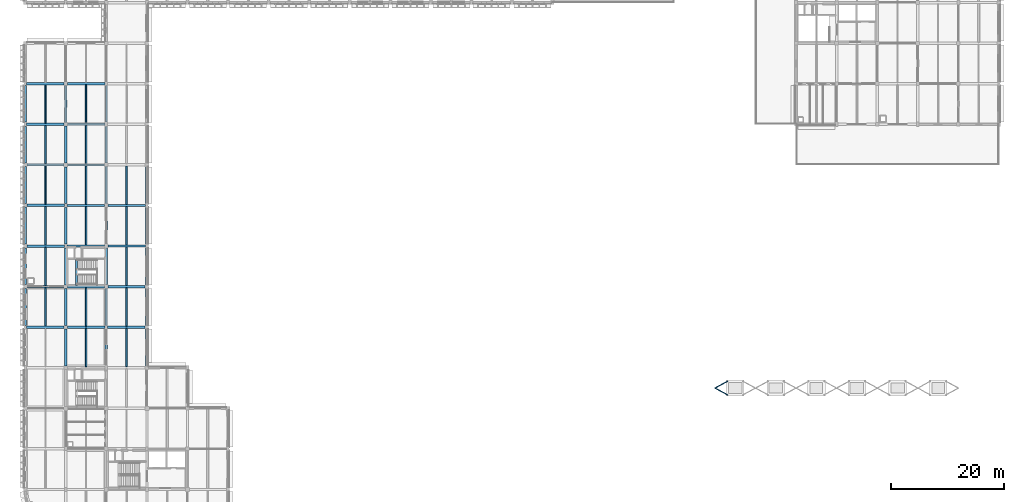
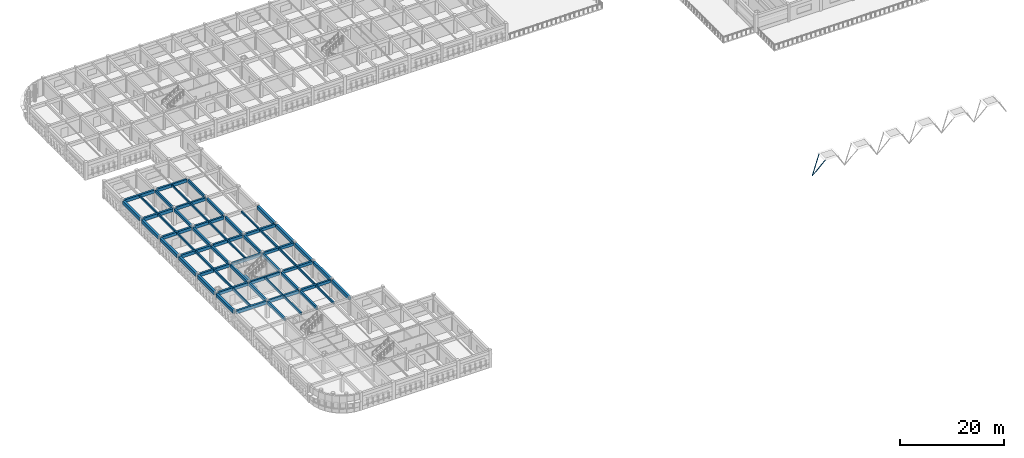
# One storey, part 4 of 38: 61 beams, 2 members.
"""IFC4 building model written with IfcOpenShell, lengths in metres."""

from ifc_helpers import new_model, si_unit, direction, frame, origin, origin_2d, place, context, subcontext, project, spatial, rectangle, hollow_circle, extrude, material, material_profile, profile_set, type_object, element, save


model = new_model("IFC4")

# Units and contexts
model_context = context("Model", 3, precision=1e-05, world=origin(), true_north=direction((0.0, 1.0)))
body_context = subcontext(model_context, "Body", "Model", "MODEL_VIEW")
ifc_project = project(units=[si_unit("LENGTHUNIT", "METRE"), si_unit("AREAUNIT", "SQUARE_METRE"), si_unit("VOLUMEUNIT", "CUBIC_METRE"), si_unit("PLANEANGLEUNIT", "RADIAN"), si_unit("MASSUNIT", "GRAM", prefix="KILO")], contexts=[model_context])

# Site, building, storey
site_placement = place(None, origin())
site = spatial("IfcSite", under=ifc_project, at=site_placement, CompositionType="ELEMENT")
building_placement = place(site_placement, origin())
building = spatial("IfcBuilding", under=site, at=building_placement, Name="Thalmaran Polytechnic", CompositionType="ELEMENT")
storey_placement = place(building_placement, frame((0.0, 0.0, 18.60009765625)))
storey = spatial("IfcBuildingStorey", under=building, at=storey_placement, Name="L04", CompositionType="ELEMENT", Elevation=18.60009765625)

# Beams
ifc_material_1 = material(Name="Concrete C40/50", Category="concrete")
ifc_material_profile_1 = material_profile(ifc_material_1, rectangle(XDim=0.39990234375, YDim=0.699951171875, at=origin_2d()), Name="RC 400x700")
ifc_profile_set_1 = profile_set([ifc_material_profile_1], Name="Concrete C40/50")
beam_type_1 = type_object("IfcBeamType", Name="BM-RC05", PredefinedType="BEAM", material=ifc_profile_set_1)
beam_1_placement = place(storey_placement, frame((7.510009765625, 36.0, 3.60498046875), z_axis=(1.0, 0.0, 0.0), x_axis=(0.0, 1.0, 0.0)))
element("IfcBeam", 1, at=beam_1_placement, inside=storey, type_object=beam_type_1, Name="Grid Beam B05 L04 X(1,5)", PredefinedType="BEAM", context=body_context, shape_type="SweptSolid", body=[
    extrude(rectangle(XDim=0.39990234375, YDim=0.699951171875, at=origin_2d()), origin(), (0.0, 0.0, 1.0), 6.679931640625),
])
beam_2_placement = place(storey_placement, frame((7.5, 43.199951171875, 3.60498046875), z_axis=(1.0, 0.0, 0.0), x_axis=(0.0, 1.0, 0.0)))
element("IfcBeam", 2, at=beam_2_placement, inside=storey, type_object=beam_type_1, Name="Grid Beam B05 L04 X(1,6)", PredefinedType="BEAM", context=body_context, shape_type="SweptSolid", body=[
    extrude(rectangle(XDim=0.39990234375, YDim=0.699951171875, at=origin_2d()), origin(), (0.0, 0.0, 1.0), 6.56005859375),
])
beam_3_placement = place(storey_placement, frame((7.449951171875, 50.39990234375, 3.5849609375), z_axis=(1.0, 0.0, 0.0), x_axis=(0.0, 1.0, 0.0)))
element("IfcBeam", 3, at=beam_3_placement, inside=storey, type_object=beam_type_1, Name="Grid Beam B05 L04 X(1,7)", PredefinedType="BEAM", context=body_context, shape_type="SweptSolid", body=[
    extrude(rectangle(XDim=0.39990234375, YDim=0.699951171875, at=origin_2d()), origin(), (0.0, 0.0, 1.0), 6.625),
])
beam_4_placement = place(storey_placement, frame((7.409912109375, 57.60009765625, 3.5849609375), z_axis=(1.0, 0.0, 0.0), x_axis=(0.0, 1.0, 0.0)))
element("IfcBeam", 4, at=beam_4_placement, inside=storey, type_object=beam_type_1, Name="Grid Beam B05 L04 X(1,8)", PredefinedType="BEAM", context=body_context, shape_type="SweptSolid", body=[
    extrude(rectangle(XDim=0.39990234375, YDim=0.699951171875, at=origin_2d()), origin(), (0.0, 0.0, 1.0), 6.68017578125),
])
beam_5_placement = place(storey_placement, frame((7.5400390625, 64.800048828125, 3.5849609375), z_axis=(1.0, 0.0, 0.0), x_axis=(0.0, 1.0, 0.0)))
element("IfcBeam", 5, at=beam_5_placement, inside=storey, type_object=beam_type_1, Name="Grid Beam B05 L04 X(1,9)", PredefinedType="BEAM", context=body_context, shape_type="SweptSolid", body=[
    extrude(rectangle(XDim=0.39990234375, YDim=0.699951171875, at=origin_2d()), origin(), (0.0, 0.0, 1.0), 6.56005859375),
])
beam_6_placement = place(storey_placement, frame((7.52490234375, 72.0, 3.5849609375), z_axis=(1.0, 0.0, 0.0), x_axis=(0.0, 1.0, 0.0)))
element("IfcBeam", 6, at=beam_6_placement, inside=storey, type_object=beam_type_1, Name="Grid Beam B05 L04 X(1,10)", PredefinedType="BEAM", context=body_context, shape_type="SweptSolid", body=[
    extrude(rectangle(XDim=0.39990234375, YDim=0.699951171875, at=origin_2d()), origin(), (0.0, 0.0, 1.0), 6.625),
])
beam_7_placement = place(storey_placement, frame((7.510009765625, 79.199951171875, 3.5849609375), z_axis=(1.0, 0.0, 0.0), x_axis=(0.0, 1.0, 0.0)))
element("IfcBeam", 7, at=beam_7_placement, inside=storey, type_object=beam_type_1, Name="Grid Beam B05 L04 X(1,11)", PredefinedType="BEAM", context=body_context, shape_type="SweptSolid", body=[
    extrude(rectangle(XDim=0.39990234375, YDim=0.699951171875, at=origin_2d()), origin(), (0.0, 0.0, 1.0), 6.679931640625),
])
ifc_material_profile_2 = material_profile(ifc_material_1, rectangle(XDim=0.39990234375, YDim=0.6298828125, at=origin_2d()), Name="RC 400x630")
ifc_profile_set_2 = profile_set([ifc_material_profile_2], Name="Concrete C40/50")
beam_type_2 = type_object("IfcBeamType", Name="BM-RC07", PredefinedType="BEAM", material=ifc_profile_set_2)
beam_8_placement = place(storey_placement, frame((7.199951171875, 65.139892578125, 3.619873046875), z_axis=(0.0, 1.0, 0.0), x_axis=(-1.0, 0.0, 0.0)))
element("IfcBeam", 8, at=beam_8_placement, inside=storey, type_object=beam_type_2, Name="Grid Beam B07 L04 Y(1,9)", PredefinedType="BEAM", context=body_context, shape_type="SweptSolid", body=[
    extrude(rectangle(XDim=0.39990234375, YDim=0.6298828125, at=origin_2d()), origin(), (0.0, 0.0, 1.0), 6.53515625),
])
beam_9_placement = place(storey_placement, frame((14.39990234375, 65.10009765625, 3.619873046875), z_axis=(0.0, 1.0, 0.0), x_axis=(-1.0, 0.0, 0.0)))
element("IfcBeam", 9, at=beam_9_placement, inside=storey, type_object=beam_type_2, Name="Grid Beam B07 L04 Y(2,9)", PredefinedType="BEAM", context=body_context, shape_type="SweptSolid", body=[
    extrude(rectangle(XDim=0.39990234375, YDim=0.6298828125, at=origin_2d()), origin(), (0.0, 0.0, 1.0), 6.52490234375),
])
ifc_material_profile_3 = material_profile(ifc_material_1, rectangle(XDim=0.389892578125, YDim=0.68505859375, at=origin_2d()), Name="RC 390x685")
ifc_profile_set_3 = profile_set([ifc_material_profile_3], Name="Concrete C40/50")
beam_type_3 = type_object("IfcBeamType", Name="BM-RC08", PredefinedType="BEAM", material=ifc_profile_set_3)
beam_10_placement = place(storey_placement, frame((7.199951171875, 29.125, 3.6123046875), z_axis=(0.0, 1.0, 0.0), x_axis=(-1.0, 0.0, 0.0)))
element("IfcBeam", 10, at=beam_10_placement, inside=storey, type_object=beam_type_3, Name="Grid Beam B08 L04 Y(1,4)", PredefinedType="BEAM", context=body_context, shape_type="SweptSolid", body=[
    extrude(rectangle(XDim=0.389892578125, YDim=0.68505859375, at=origin_2d()), origin(), (0.0, 0.0, 1.0), 6.56494140625),
])
beam_11_placement = place(storey_placement, frame((14.39990234375, 29.175048828125, 3.6123046875), z_axis=(0.0, 1.0, 0.0), x_axis=(-1.0, 0.0, 0.0)))
element("IfcBeam", 11, at=beam_11_placement, inside=storey, type_object=beam_type_3, Name="Grid Beam B08 L04 Y(2,4)", PredefinedType="BEAM", context=body_context, shape_type="SweptSolid", body=[
    extrude(rectangle(XDim=0.389892578125, YDim=0.68505859375, at=origin_2d()), origin(), (0.0, 0.0, 1.0), 6.5048828125),
])
ifc_material_profile_4 = material_profile(ifc_material_1, rectangle(XDim=0.389892578125, YDim=0.68994140625, at=origin_2d()), Name="RC 390x690")
ifc_profile_set_4 = profile_set([ifc_material_profile_4], Name="Concrete C40/50")
beam_type_4 = type_object("IfcBeamType", Name="BM-RC09", PredefinedType="BEAM", material=ifc_profile_set_4)
beam_12_placement = place(storey_placement, frame((7.199951171875, 43.5, 3.60986328125), z_axis=(0.0, 1.0, 0.0), x_axis=(-1.0, 0.0, 0.0)))
element("IfcBeam", 12, at=beam_12_placement, inside=storey, type_object=beam_type_4, Name="Grid Beam B09 L04 Y(1,6)", PredefinedType="BEAM", context=body_context, shape_type="SweptSolid", body=[
    extrude(rectangle(XDim=0.389892578125, YDim=0.68994140625, at=origin_2d()), origin(), (0.0, 0.0, 1.0), 6.52490234375),
])
beam_13_placement = place(storey_placement, frame((14.39990234375, 43.5400390625, 3.60986328125), z_axis=(0.0, 1.0, 0.0), x_axis=(-1.0, 0.0, 0.0)))
element("IfcBeam", 13, at=beam_13_placement, inside=storey, type_object=beam_type_4, Name="Grid Beam B09 L04 Y(2,6)", PredefinedType="BEAM", context=body_context, shape_type="SweptSolid", body=[
    extrude(rectangle(XDim=0.389892578125, YDim=0.68994140625, at=origin_2d()), origin(), (0.0, 0.0, 1.0), 6.534912109375),
])
ifc_material_profile_5 = material_profile(ifc_material_1, rectangle(XDim=0.389892578125, YDim=0.695068359375, at=origin_2d()), Name="RC 390x695")
ifc_profile_set_5 = profile_set([ifc_material_profile_5], Name="Concrete C40/50")
beam_type_5 = type_object("IfcBeamType", Name="BM-RC10", PredefinedType="BEAM", material=ifc_profile_set_5)
beam_14_placement = place(storey_placement, frame((7.199951171875, 57.919921875, 3.58740234375), z_axis=(0.0, 1.0, 0.0), x_axis=(-1.0, 0.0, 0.0)))
element("IfcBeam", 14, at=beam_14_placement, inside=storey, type_object=beam_type_5, Name="Grid Beam B10 L04 Y(1,8)", PredefinedType="BEAM", context=body_context, shape_type="SweptSolid", body=[
    extrude(rectangle(XDim=0.389892578125, YDim=0.695068359375, at=origin_2d()), origin(), (0.0, 0.0, 1.0), 6.5400390625),
])
beam_15_placement = place(storey_placement, frame((14.39990234375, 57.909912109375, 3.58740234375), z_axis=(0.0, 1.0, 0.0), x_axis=(-1.0, 0.0, 0.0)))
element("IfcBeam", 15, at=beam_15_placement, inside=storey, type_object=beam_type_5, Name="Grid Beam B10 L04 Y(2,8)", PredefinedType="BEAM", context=body_context, shape_type="SweptSolid", body=[
    extrude(rectangle(XDim=0.389892578125, YDim=0.695068359375, at=origin_2d()), origin(), (0.0, 0.0, 1.0), 6.590087890625),
])
beam_16_placement = place(storey_placement, frame((9.1201171875, 43.43994140625, 1.639892578125), z_axis=(0.0, 1.0, 0.0), x_axis=(-1.0, 0.0, 0.0)))
element("IfcBeam", 16, at=beam_16_placement, inside=storey, type_object=beam_type_5, Name="ST4 L04 Half-Landing Trimmer Beam", PredefinedType="BEAM", context=body_context, shape_type="SweptSolid", body=[
    extrude(rectangle(XDim=0.389892578125, YDim=0.695068359375, at=origin_2d()), origin(), (0.0, 0.0, 1.0), 4.699951171875),
])
ifc_material_profile_6 = material_profile(ifc_material_1, rectangle(XDim=0.300048828125, YDim=0.5, at=origin_2d()), Name="RC 300x500")
ifc_profile_set_6 = profile_set([ifc_material_profile_6], Name="Concrete C40/50")
beam_type_6 = type_object("IfcBeamType", Name="BM-RC11", PredefinedType="JOIST", material=ifc_profile_set_6)
beam_17_placement = place(storey_placement, frame((3.60009765625, 36.219970703125, 3.704833984375), z_axis=(0.0, 1.0, 0.0), x_axis=(-1.0, 0.0, 0.0)))
element("IfcBeam", 17, at=beam_17_placement, inside=storey, type_object=beam_type_6, Name="Secondary Floor Rib RB01 L04 (0,5)", PredefinedType="JOIST", context=body_context, shape_type="SweptSolid", body=[
    extrude(rectangle(XDim=0.300048828125, YDim=0.5, at=origin_2d()), origin(), (0.0, 0.0, 1.0), 6.760009765625),
])
beam_18_placement = place(storey_placement, frame((10.800048828125, 29.0, 3.704833984375), z_axis=(0.0, 1.0, 0.0), x_axis=(-1.0, 0.0, 0.0)))
element("IfcBeam", 18, at=beam_18_placement, inside=storey, type_object=beam_type_6, Name="Secondary Floor Rib RB01 L04 (1,4)", PredefinedType="JOIST", context=body_context, shape_type="SweptSolid", body=[
    extrude(rectangle(XDim=0.300048828125, YDim=0.5, at=origin_2d()), origin(), (0.0, 0.0, 1.0), 6.800048828125),
])
ifc_material_profile_7 = material_profile(ifc_material_1, rectangle(XDim=0.300048828125, YDim=0.449951171875, at=origin_2d()), Name="RC 300x450")
ifc_profile_set_7 = profile_set([ifc_material_profile_7], Name="Concrete C40/50")
beam_type_7 = type_object("IfcBeamType", Name="BM-RC12", PredefinedType="JOIST", material=ifc_profile_set_7)
beam_19_placement = place(storey_placement, frame((3.60009765625, 50.6201171875, 3.7099609375), z_axis=(0.0, 1.0, 0.0), x_axis=(-1.0, 0.0, 0.0)))
element("IfcBeam", 19, at=beam_19_placement, inside=storey, type_object=beam_type_7, Name="Secondary Floor Rib RB02 L04 (0,7)", PredefinedType="JOIST", context=body_context, shape_type="SweptSolid", body=[
    extrude(rectangle(XDim=0.300048828125, YDim=0.449951171875, at=origin_2d()), origin(), (0.0, 0.0, 1.0), 6.759765625),
])
beam_20_placement = place(storey_placement, frame((18.0, 36.2099609375, 3.72998046875), z_axis=(0.0, 1.0, 0.0), x_axis=(-1.0, 0.0, 0.0)))
element("IfcBeam", 20, at=beam_20_placement, inside=storey, type_object=beam_type_7, Name="Secondary Floor Rib RB02 L04 (2,5)", PredefinedType="JOIST", context=body_context, shape_type="SweptSolid", body=[
    extrude(rectangle(XDim=0.300048828125, YDim=0.449951171875, at=origin_2d()), origin(), (0.0, 0.0, 1.0), 6.780029296875),
])
ifc_material_profile_8 = material_profile(ifc_material_1, rectangle(XDim=0.280029296875, YDim=0.449951171875, at=origin_2d()), Name="RC 280x450")
ifc_profile_set_8 = profile_set([ifc_material_profile_8], Name="Concrete C40/50")
beam_type_8 = type_object("IfcBeamType", Name="BM-RC13", PredefinedType="JOIST", material=ifc_profile_set_8)
beam_21_placement = place(storey_placement, frame((3.60009765625, 65.02001953125, 3.7099609375), z_axis=(0.0, 1.0, 0.0), x_axis=(-1.0, 0.0, 0.0)))
element("IfcBeam", 21, at=beam_21_placement, inside=storey, type_object=beam_type_8, Name="Secondary Floor Rib RB03 L04 (0,9)", PredefinedType="JOIST", context=body_context, shape_type="SweptSolid", body=[
    extrude(rectangle(XDim=0.280029296875, YDim=0.449951171875, at=origin_2d()), origin(), (0.0, 0.0, 1.0), 6.760009765625),
])
beam_22_placement = place(storey_placement, frame((10.800048828125, 57.800048828125, 3.7099609375), z_axis=(0.0, 1.0, 0.0), x_axis=(-1.0, 0.0, 0.0)))
element("IfcBeam", 22, at=beam_22_placement, inside=storey, type_object=beam_type_8, Name="Secondary Floor Rib RB03 L04 (1,8)", PredefinedType="JOIST", context=body_context, shape_type="SweptSolid", body=[
    extrude(rectangle(XDim=0.280029296875, YDim=0.449951171875, at=origin_2d()), origin(), (0.0, 0.0, 1.0), 6.800048828125),
])
beam_23_placement = place(storey_placement, frame((18.0, 50.610107421875, 3.7099609375), z_axis=(0.0, 1.0, 0.0), x_axis=(-1.0, 0.0, 0.0)))
element("IfcBeam", 23, at=beam_23_placement, inside=storey, type_object=beam_type_8, Name="Secondary Floor Rib RB03 L04 (2,7)", PredefinedType="JOIST", context=body_context, shape_type="SweptSolid", body=[
    extrude(rectangle(XDim=0.280029296875, YDim=0.449951171875, at=origin_2d()), origin(), (0.0, 0.0, 1.0), 6.77978515625),
])
ifc_material_profile_9 = material_profile(ifc_material_1, rectangle(XDim=0.5, YDim=0.804931640625, at=origin_2d()), Name="RC 500x805")
ifc_profile_set_9 = profile_set([ifc_material_profile_9], Name="Concrete C40/50")
beam_type_9 = type_object("IfcBeamType", Name="BM-SP03", PredefinedType="SPANDREL", material=ifc_profile_set_9)
beam_24_placement = place(storey_placement, frame((0.0, 36.320068359375, 3.552490234375), z_axis=(0.0, 1.0, 0.0), x_axis=(-1.0, 0.0, 0.0)))
element("IfcBeam", 24, at=beam_24_placement, inside=storey, type_object=beam_type_9, Name="Grid Beam SP03 L04 Y(0,5)", PredefinedType="SPANDREL", context=body_context, shape_type="SweptSolid", body=[
    extrude(rectangle(XDim=0.5, YDim=0.804931640625, at=origin_2d()), origin(), (0.0, 0.0, 1.0), 6.5400390625),
])
beam_25_placement = place(storey_placement, frame((0.0, 43.5400390625, 3.552490234375), z_axis=(0.0, 1.0, 0.0), x_axis=(-1.0, 0.0, 0.0)))
element("IfcBeam", 25, at=beam_25_placement, inside=storey, type_object=beam_type_9, Name="Grid Beam SP03 L04 Y(0,6)", PredefinedType="SPANDREL", context=body_context, shape_type="SweptSolid", body=[
    extrude(rectangle(XDim=0.5, YDim=0.804931640625, at=origin_2d()), origin(), (0.0, 0.0, 1.0), 6.534912109375),
])
beam_26_placement = place(storey_placement, frame((0.0, 50.72509765625, 3.532470703125), z_axis=(0.0, 1.0, 0.0), x_axis=(-1.0, 0.0, 0.0)))
element("IfcBeam", 26, at=beam_26_placement, inside=storey, type_object=beam_type_9, Name="Grid Beam SP03 L04 Y(0,7)", PredefinedType="SPANDREL", context=body_context, shape_type="SweptSolid", body=[
    extrude(rectangle(XDim=0.5, YDim=0.804931640625, at=origin_2d()), origin(), (0.0, 0.0, 1.0), 6.56494140625),
])
beam_27_placement = place(storey_placement, frame((0.0, 57.909912109375, 3.532470703125), z_axis=(0.0, 1.0, 0.0), x_axis=(-1.0, 0.0, 0.0)))
element("IfcBeam", 27, at=beam_27_placement, inside=storey, type_object=beam_type_9, Name="Grid Beam SP03 L04 Y(0,8)", PredefinedType="SPANDREL", context=body_context, shape_type="SweptSolid", body=[
    extrude(rectangle(XDim=0.5, YDim=0.804931640625, at=origin_2d()), origin(), (0.0, 0.0, 1.0), 6.590087890625),
])
beam_28_placement = place(storey_placement, frame((0.0, 65.10009765625, 3.532470703125), z_axis=(0.0, 1.0, 0.0), x_axis=(-1.0, 0.0, 0.0)))
element("IfcBeam", 28, at=beam_28_placement, inside=storey, type_object=beam_type_9, Name="Grid Beam SP03 L04 Y(0,9)", PredefinedType="SPANDREL", context=body_context, shape_type="SweptSolid", body=[
    extrude(rectangle(XDim=0.5, YDim=0.804931640625, at=origin_2d()), origin(), (0.0, 0.0, 1.0), 6.52490234375),
])
beam_29_placement = place(storey_placement, frame((0.0, 72.375, 3.532470703125), z_axis=(0.0, 1.0, 0.0), x_axis=(-1.0, 0.0, 0.0)))
element("IfcBeam", 29, at=beam_29_placement, inside=storey, type_object=beam_type_9, Name="Grid Beam SP03 L04 Y(0,10)", PredefinedType="SPANDREL", context=body_context, shape_type="SweptSolid", body=[
    extrude(rectangle(XDim=0.5, YDim=0.804931640625, at=origin_2d()), origin(), (0.0, 0.0, 1.0), 6.5048828125),
])
beam_30_placement = place(storey_placement, frame((21.60009765625, 29.125, 3.552490234375), z_axis=(0.0, 1.0, 0.0), x_axis=(-1.0, 0.0, 0.0)))
element("IfcBeam", 30, at=beam_30_placement, inside=storey, type_object=beam_type_9, Name="Grid Beam SP03 L04 Y(3,4)", PredefinedType="SPANDREL", context=body_context, shape_type="SweptSolid", body=[
    extrude(rectangle(XDim=0.5, YDim=0.804931640625, at=origin_2d()), origin(), (0.0, 0.0, 1.0), 6.56494140625),
])
beam_31_placement = place(storey_placement, frame((21.60009765625, 36.31005859375, 3.552490234375), z_axis=(0.0, 1.0, 0.0), x_axis=(-1.0, 0.0, 0.0)))
element("IfcBeam", 31, at=beam_31_placement, inside=storey, type_object=beam_type_9, Name="Grid Beam SP03 L04 Y(3,5)", PredefinedType="SPANDREL", context=body_context, shape_type="SweptSolid", body=[
    extrude(rectangle(XDim=0.5, YDim=0.804931640625, at=origin_2d()), origin(), (0.0, 0.0, 1.0), 6.58984375),
])
beam_32_placement = place(storey_placement, frame((21.60009765625, 43.5, 3.552490234375), z_axis=(0.0, 1.0, 0.0), x_axis=(-1.0, 0.0, 0.0)))
element("IfcBeam", 32, at=beam_32_placement, inside=storey, type_object=beam_type_9, Name="Grid Beam SP03 L04 Y(3,6)", PredefinedType="SPANDREL", context=body_context, shape_type="SweptSolid", body=[
    extrude(rectangle(XDim=0.5, YDim=0.804931640625, at=origin_2d()), origin(), (0.0, 0.0, 1.0), 6.52490234375),
])
beam_33_placement = place(storey_placement, frame((21.60009765625, 50.77490234375, 3.532470703125), z_axis=(0.0, 1.0, 0.0), x_axis=(-1.0, 0.0, 0.0)))
element("IfcBeam", 33, at=beam_33_placement, inside=storey, type_object=beam_type_9, Name="Grid Beam SP03 L04 Y(3,7)", PredefinedType="SPANDREL", context=body_context, shape_type="SweptSolid", body=[
    extrude(rectangle(XDim=0.5, YDim=0.804931640625, at=origin_2d()), origin(), (0.0, 0.0, 1.0), 6.505126953125),
])
beam_34_placement = place(storey_placement, frame((21.60009765625, 57.919921875, 3.532470703125), z_axis=(0.0, 1.0, 0.0), x_axis=(-1.0, 0.0, 0.0)))
element("IfcBeam", 34, at=beam_34_placement, inside=storey, type_object=beam_type_9, Name="Grid Beam SP03 L04 Y(3,8)", PredefinedType="SPANDREL", context=body_context, shape_type="SweptSolid", body=[
    extrude(rectangle(XDim=0.5, YDim=0.804931640625, at=origin_2d()), origin(), (0.0, 0.0, 1.0), 6.5400390625),
])
ifc_material_profile_10 = material_profile(ifc_material_1, rectangle(XDim=0.43994140625, YDim=0.719970703125, at=origin_2d()), Name="RC 440x720")
ifc_profile_set_10 = profile_set([ifc_material_profile_10], Name="Concrete C40/50")
beam_type_10 = type_object("IfcBeamType", Name="BM-ZB03", PredefinedType="BEAM", material=ifc_profile_set_10)
beam_35_placement = place(storey_placement, frame((0.2099609375, 36.0, 3.594970703125), z_axis=(1.0, 0.0, 0.0), x_axis=(0.0, 1.0, 0.0)))
element("IfcBeam", 35, at=beam_35_placement, inside=storey, type_object=beam_type_10, Name="Grid Beam ZB03 L04 X(0,5)", PredefinedType="BEAM", context=body_context, shape_type="SweptSolid", body=[
    extrude(rectangle(XDim=0.43994140625, YDim=0.719970703125, at=origin_2d()), origin(), (0.0, 0.0, 1.0), 6.679931640625),
])
beam_36_placement = place(storey_placement, frame((0.340087890625, 43.199951171875, 3.594970703125), z_axis=(1.0, 0.0, 0.0), x_axis=(0.0, 1.0, 0.0)))
element("IfcBeam", 36, at=beam_36_placement, inside=storey, type_object=beam_type_10, Name="Grid Beam ZB03 L04 X(0,6)", PredefinedType="BEAM", context=body_context, shape_type="SweptSolid", body=[
    extrude(rectangle(XDim=0.43994140625, YDim=0.719970703125, at=origin_2d()), origin(), (0.0, 0.0, 1.0), 6.559814453125),
])
beam_37_placement = place(storey_placement, frame((0.324951171875, 50.39990234375, 3.574951171875), z_axis=(1.0, 0.0, 0.0), x_axis=(0.0, 1.0, 0.0)))
element("IfcBeam", 37, at=beam_37_placement, inside=storey, type_object=beam_type_10, Name="Grid Beam ZB03 L04 X(0,7)", PredefinedType="BEAM", context=body_context, shape_type="SweptSolid", body=[
    extrude(rectangle(XDim=0.43994140625, YDim=0.719970703125, at=origin_2d()), origin(), (0.0, 0.0, 1.0), 6.625),
])
beam_38_placement = place(storey_placement, frame((0.31005859375, 57.60009765625, 3.574951171875), z_axis=(1.0, 0.0, 0.0), x_axis=(0.0, 1.0, 0.0)))
element("IfcBeam", 38, at=beam_38_placement, inside=storey, type_object=beam_type_10, Name="Grid Beam ZB03 L04 X(0,8)", PredefinedType="BEAM", context=body_context, shape_type="SweptSolid", body=[
    extrude(rectangle(XDim=0.43994140625, YDim=0.719970703125, at=origin_2d()), origin(), (0.0, 0.0, 1.0), 6.679931640625),
])
beam_39_placement = place(storey_placement, frame((0.300048828125, 64.800048828125, 3.574951171875), z_axis=(1.0, 0.0, 0.0), x_axis=(0.0, 1.0, 0.0)))
element("IfcBeam", 39, at=beam_39_placement, inside=storey, type_object=beam_type_10, Name="Grid Beam ZB03 L04 X(0,9)", PredefinedType="BEAM", context=body_context, shape_type="SweptSolid", body=[
    extrude(rectangle(XDim=0.43994140625, YDim=0.719970703125, at=origin_2d()), origin(), (0.0, 0.0, 1.0), 6.56005859375),
])
beam_40_placement = place(storey_placement, frame((0.25, 72.0, 3.574951171875), z_axis=(1.0, 0.0, 0.0), x_axis=(0.0, 1.0, 0.0)))
element("IfcBeam", 40, at=beam_40_placement, inside=storey, type_object=beam_type_10, Name="Grid Beam ZB03 L04 X(0,10)", PredefinedType="BEAM", context=body_context, shape_type="SweptSolid", body=[
    extrude(rectangle(XDim=0.43994140625, YDim=0.719970703125, at=origin_2d()), origin(), (0.0, 0.0, 1.0), 6.625),
])
beam_41_placement = place(storey_placement, frame((0.2099609375, 79.199951171875, 3.574951171875), z_axis=(1.0, 0.0, 0.0), x_axis=(0.0, 1.0, 0.0)))
element("IfcBeam", 41, at=beam_41_placement, inside=storey, type_object=beam_type_10, Name="Grid Beam ZB03 L04 X(0,11)", PredefinedType="BEAM", context=body_context, shape_type="SweptSolid", body=[
    extrude(rectangle(XDim=0.43994140625, YDim=0.719970703125, at=origin_2d()), origin(), (0.0, 0.0, 1.0), 6.679931640625),
])
ifc_material_profile_11 = material_profile(ifc_material_1, rectangle(XDim=0.419921875, YDim=0.659912109375, at=origin_2d()), Name="RC 420x660")
ifc_profile_set_11 = profile_set([ifc_material_profile_11], Name="Concrete C40/50")
beam_type_11 = type_object("IfcBeamType", Name="BM-ZB04", PredefinedType="BEAM", material=ifc_profile_set_11)
beam_42_placement = place(storey_placement, frame((14.610107421875, 36.0, 3.625), z_axis=(1.0, 0.0, 0.0), x_axis=(0.0, 1.0, 0.0)))
element("IfcBeam", 42, at=beam_42_placement, inside=storey, type_object=beam_type_11, Name="Grid Beam ZB04 L04 X(2,5)", PredefinedType="BEAM", context=body_context, shape_type="SweptSolid", body=[
    extrude(rectangle(XDim=0.419921875, YDim=0.659912109375, at=origin_2d()), origin(), (0.0, 0.0, 1.0), 6.679931640625),
])
beam_43_placement = place(storey_placement, frame((14.739990234375, 43.199951171875, 3.625), z_axis=(1.0, 0.0, 0.0), x_axis=(0.0, 1.0, 0.0)))
element("IfcBeam", 43, at=beam_43_placement, inside=storey, type_object=beam_type_11, Name="Grid Beam ZB04 L04 X(2,6)", PredefinedType="BEAM", context=body_context, shape_type="SweptSolid", body=[
    extrude(rectangle(XDim=0.419921875, YDim=0.659912109375, at=origin_2d()), origin(), (0.0, 0.0, 1.0), 6.56005859375),
])
beam_44_placement = place(storey_placement, frame((14.72509765625, 50.39990234375, 3.60498046875), z_axis=(1.0, 0.0, 0.0), x_axis=(0.0, 1.0, 0.0)))
element("IfcBeam", 44, at=beam_44_placement, inside=storey, type_object=beam_type_11, Name="Grid Beam ZB04 L04 X(2,7)", PredefinedType="BEAM", context=body_context, shape_type="SweptSolid", body=[
    extrude(rectangle(XDim=0.419921875, YDim=0.659912109375, at=origin_2d()), origin(), (0.0, 0.0, 1.0), 6.625),
])
beam_45_placement = place(storey_placement, frame((14.7099609375, 57.60009765625, 3.60498046875), z_axis=(1.0, 0.0, 0.0), x_axis=(0.0, 1.0, 0.0)))
element("IfcBeam", 45, at=beam_45_placement, inside=storey, type_object=beam_type_11, Name="Grid Beam ZB04 L04 X(2,8)", PredefinedType="BEAM", context=body_context, shape_type="SweptSolid", body=[
    extrude(rectangle(XDim=0.419921875, YDim=0.659912109375, at=origin_2d()), origin(), (0.0, 0.0, 1.0), 6.679931640625),
])
ifc_material_profile_12 = material_profile(ifc_material_1, rectangle(XDim=0.3798828125, YDim=0.635009765625, at=origin_2d()), Name="RC 380x635")
ifc_profile_set_12 = profile_set([ifc_material_profile_12], Name="Concrete C40/50")
beam_type_12 = type_object("IfcBeamType", Name="BM-ZB06", PredefinedType="BEAM", material=ifc_profile_set_12)
beam_46_placement = place(storey_placement, frame((7.199951171875, 72.324951171875, 3.617431640625), z_axis=(0.0, 1.0, 0.0), x_axis=(-1.0, 0.0, 0.0)))
element("IfcBeam", 46, at=beam_46_placement, inside=storey, type_object=beam_type_12, Name="Grid Beam ZB06 L04 Y(1,10)", PredefinedType="BEAM", context=body_context, shape_type="SweptSolid", body=[
    extrude(rectangle(XDim=0.3798828125, YDim=0.635009765625, at=origin_2d()), origin(), (0.0, 0.0, 1.0), 6.56494140625),
])
beam_47_placement = place(storey_placement, frame((14.39990234375, 72.375, 3.617431640625), z_axis=(0.0, 1.0, 0.0), x_axis=(-1.0, 0.0, 0.0)))
element("IfcBeam", 47, at=beam_47_placement, inside=storey, type_object=beam_type_12, Name="Grid Beam ZB06 L04 Y(2,10)", PredefinedType="BEAM", context=body_context, shape_type="SweptSolid", body=[
    extrude(rectangle(XDim=0.3798828125, YDim=0.635009765625, at=origin_2d()), origin(), (0.0, 0.0, 1.0), 6.5048828125),
])
ifc_material_profile_13 = material_profile(ifc_material_1, rectangle(XDim=0.39990234375, YDim=0.68505859375, at=origin_2d()), Name="RC 400x685")
ifc_profile_set_13 = profile_set([ifc_material_profile_13], Name="Concrete C40/50")
beam_type_13 = type_object("IfcBeamType", Name="BM-ZB07", PredefinedType="BEAM", material=ifc_profile_set_13)
beam_48_placement = place(storey_placement, frame((7.199951171875, 36.31005859375, 3.6123046875), z_axis=(0.0, 1.0, 0.0), x_axis=(-1.0, 0.0, 0.0)))
element("IfcBeam", 48, at=beam_48_placement, inside=storey, type_object=beam_type_13, Name="Grid Beam ZB07 L04 Y(1,5)", PredefinedType="BEAM", context=body_context, shape_type="SweptSolid", body=[
    extrude(rectangle(XDim=0.39990234375, YDim=0.68505859375, at=origin_2d()), origin(), (0.0, 0.0, 1.0), 6.58984375),
])
beam_49_placement = place(storey_placement, frame((14.39990234375, 36.320068359375, 3.6123046875), z_axis=(0.0, 1.0, 0.0), x_axis=(-1.0, 0.0, 0.0)))
element("IfcBeam", 49, at=beam_49_placement, inside=storey, type_object=beam_type_13, Name="Grid Beam ZB07 L04 Y(2,5)", PredefinedType="BEAM", context=body_context, shape_type="SweptSolid", body=[
    extrude(rectangle(XDim=0.39990234375, YDim=0.68505859375, at=origin_2d()), origin(), (0.0, 0.0, 1.0), 6.5400390625),
])
ifc_material_profile_14 = material_profile(ifc_material_1, rectangle(XDim=0.39990234375, YDim=0.695068359375, at=origin_2d()), Name="RC 400x695")
ifc_profile_set_14 = profile_set([ifc_material_profile_14], Name="Concrete C40/50")
beam_type_14 = type_object("IfcBeamType", Name="BM-ZB08", PredefinedType="BEAM", material=ifc_profile_set_14)
beam_50_placement = place(storey_placement, frame((7.199951171875, 50.77490234375, 3.58740234375), z_axis=(0.0, 1.0, 0.0), x_axis=(-1.0, 0.0, 0.0)))
element("IfcBeam", 50, at=beam_50_placement, inside=storey, type_object=beam_type_14, Name="Grid Beam ZB08 L04 Y(1,7)", PredefinedType="BEAM", context=body_context, shape_type="SweptSolid", body=[
    extrude(rectangle(XDim=0.39990234375, YDim=0.695068359375, at=origin_2d()), origin(), (0.0, 0.0, 1.0), 6.505126953125),
])
beam_51_placement = place(storey_placement, frame((14.39990234375, 50.72509765625, 3.58740234375), z_axis=(0.0, 1.0, 0.0), x_axis=(-1.0, 0.0, 0.0)))
element("IfcBeam", 51, at=beam_51_placement, inside=storey, type_object=beam_type_14, Name="Grid Beam ZB08 L04 Y(2,7)", PredefinedType="BEAM", context=body_context, shape_type="SweptSolid", body=[
    extrude(rectangle(XDim=0.39990234375, YDim=0.695068359375, at=origin_2d()), origin(), (0.0, 0.0, 1.0), 6.56494140625),
])
ifc_material_profile_15 = material_profile(ifc_material_1, rectangle(XDim=0.280029296875, YDim=0.47998046875, at=origin_2d()), Name="RC 280x480")
ifc_profile_set_15 = profile_set([ifc_material_profile_15], Name="Concrete C40/50")
beam_type_15 = type_object("IfcBeamType", Name="BM-ZJ01", PredefinedType="JOIST", material=ifc_profile_set_15)
beam_52_placement = place(storey_placement, frame((3.60009765625, 43.419921875, 3.71484375), z_axis=(0.0, 1.0, 0.0), x_axis=(-1.0, 0.0, 0.0)))
element("IfcBeam", 52, at=beam_52_placement, inside=storey, type_object=beam_type_15, Name="Secondary Floor Rib ZJ01 L04 (0,6)", PredefinedType="JOIST", context=body_context, shape_type="SweptSolid", body=[
    extrude(rectangle(XDim=0.280029296875, YDim=0.47998046875, at=origin_2d()), origin(), (0.0, 0.0, 1.0), 6.760009765625),
])
beam_53_placement = place(storey_placement, frame((10.800048828125, 36.199951171875, 3.71484375), z_axis=(0.0, 1.0, 0.0), x_axis=(-1.0, 0.0, 0.0)))
element("IfcBeam", 53, at=beam_53_placement, inside=storey, type_object=beam_type_15, Name="Secondary Floor Rib ZJ01 L04 (1,5)", PredefinedType="JOIST", context=body_context, shape_type="SweptSolid", body=[
    extrude(rectangle(XDim=0.280029296875, YDim=0.47998046875, at=origin_2d()), origin(), (0.0, 0.0, 1.0), 6.800048828125),
])
beam_54_placement = place(storey_placement, frame((18.0, 29.010009765625, 3.71484375), z_axis=(0.0, 1.0, 0.0), x_axis=(-1.0, 0.0, 0.0)))
element("IfcBeam", 54, at=beam_54_placement, inside=storey, type_object=beam_type_15, Name="Secondary Floor Rib ZJ01 L04 (2,4)", PredefinedType="JOIST", context=body_context, shape_type="SweptSolid", body=[
    extrude(rectangle(XDim=0.280029296875, YDim=0.47998046875, at=origin_2d()), origin(), (0.0, 0.0, 1.0), 6.780029296875),
])
ifc_material_profile_16 = material_profile(ifc_material_1, rectangle(XDim=0.260009765625, YDim=0.43994140625, at=origin_2d()), Name="RC 260x440")
ifc_profile_set_16 = profile_set([ifc_material_profile_16], Name="Concrete C40/50")
beam_type_16 = type_object("IfcBeamType", Name="BM-ZJ02", PredefinedType="JOIST", material=ifc_profile_set_16)
beam_55_placement = place(storey_placement, frame((3.60009765625, 57.820068359375, 3.71484375), z_axis=(0.0, 1.0, 0.0), x_axis=(-1.0, 0.0, 0.0)))
element("IfcBeam", 55, at=beam_55_placement, inside=storey, type_object=beam_type_16, Name="Secondary Floor Rib ZJ02 L04 (0,8)", PredefinedType="JOIST", context=body_context, shape_type="SweptSolid", body=[
    extrude(rectangle(XDim=0.260009765625, YDim=0.43994140625, at=origin_2d()), origin(), (0.0, 0.0, 1.0), 6.760009765625),
])
beam_56_placement = place(storey_placement, frame((10.800048828125, 50.60009765625, 3.71484375), z_axis=(0.0, 1.0, 0.0), x_axis=(-1.0, 0.0, 0.0)))
element("IfcBeam", 56, at=beam_56_placement, inside=storey, type_object=beam_type_16, Name="Secondary Floor Rib ZJ02 L04 (1,7)", PredefinedType="JOIST", context=body_context, shape_type="SweptSolid", body=[
    extrude(rectangle(XDim=0.260009765625, YDim=0.43994140625, at=origin_2d()), origin(), (0.0, 0.0, 1.0), 6.7998046875),
])
beam_57_placement = place(storey_placement, frame((18.0, 43.409912109375, 3.73486328125), z_axis=(0.0, 1.0, 0.0), x_axis=(-1.0, 0.0, 0.0)))
element("IfcBeam", 57, at=beam_57_placement, inside=storey, type_object=beam_type_16, Name="Secondary Floor Rib ZJ02 L04 (2,6)", PredefinedType="JOIST", context=body_context, shape_type="SweptSolid", body=[
    extrude(rectangle(XDim=0.260009765625, YDim=0.43994140625, at=origin_2d()), origin(), (0.0, 0.0, 1.0), 6.780029296875),
])
ifc_material_profile_17 = material_profile(ifc_material_1, rectangle(XDim=0.25, YDim=0.419921875, at=origin_2d()), Name="RC 250x420")
ifc_profile_set_17 = profile_set([ifc_material_profile_17], Name="Concrete C40/50")
beam_type_17 = type_object("IfcBeamType", Name="BM-ZJ03", PredefinedType="JOIST", material=ifc_profile_set_17)
beam_58_placement = place(storey_placement, frame((3.60009765625, 72.219970703125, 3.724853515625), z_axis=(0.0, 1.0, 0.0), x_axis=(-1.0, 0.0, 0.0)))
element("IfcBeam", 58, at=beam_58_placement, inside=storey, type_object=beam_type_17, Name="Secondary Floor Rib ZJ03 L04 (0,10)", PredefinedType="JOIST", context=body_context, shape_type="SweptSolid", body=[
    extrude(rectangle(XDim=0.25, YDim=0.419921875, at=origin_2d()), origin(), (0.0, 0.0, 1.0), 6.760009765625),
])
beam_59_placement = place(storey_placement, frame((10.800048828125, 65.0, 3.724853515625), z_axis=(0.0, 1.0, 0.0), x_axis=(-1.0, 0.0, 0.0)))
element("IfcBeam", 59, at=beam_59_placement, inside=storey, type_object=beam_type_17, Name="Secondary Floor Rib ZJ03 L04 (1,9)", PredefinedType="JOIST", context=body_context, shape_type="SweptSolid", body=[
    extrude(rectangle(XDim=0.25, YDim=0.419921875, at=origin_2d()), origin(), (0.0, 0.0, 1.0), 6.800048828125),
])
beam_60_placement = place(storey_placement, frame((18.0, 57.81005859375, 3.724853515625), z_axis=(0.0, 1.0, 0.0), x_axis=(-1.0, 0.0, 0.0)))
element("IfcBeam", 60, at=beam_60_placement, inside=storey, type_object=beam_type_17, Name="Secondary Floor Rib ZJ03 L04 (2,8)", PredefinedType="JOIST", context=body_context, shape_type="SweptSolid", body=[
    extrude(rectangle(XDim=0.25, YDim=0.419921875, at=origin_2d()), origin(), (0.0, 0.0, 1.0), 6.780029296875),
])
ifc_material_profile_18 = material_profile(ifc_material_1, rectangle(XDim=0.239990234375, YDim=0.39990234375, at=origin_2d()), Name="RC 240x400")
ifc_profile_set_18 = profile_set([ifc_material_profile_18], Name="Concrete C40/50")
beam_type_18 = type_object("IfcBeamType", Name="BM-ZJ04", PredefinedType="JOIST", material=ifc_profile_set_18)
beam_61_placement = place(storey_placement, frame((10.800048828125, 72.199951171875, 3.73486328125), z_axis=(0.0, 1.0, 0.0), x_axis=(-1.0, 0.0, 0.0)))
element("IfcBeam", 61, at=beam_61_placement, inside=storey, type_object=beam_type_18, Name="Secondary Floor Rib ZJ04 L04 (1,10)", PredefinedType="JOIST", context=body_context, shape_type="SweptSolid", body=[
    extrude(rectangle(XDim=0.239990234375, YDim=0.39990234375, at=origin_2d()), origin(), (0.0, 0.0, 1.0), 6.800048828125),
])

# Members
ifc_material_2 = material(Name="Steel S355", Category="steel")
ifc_material_profile_19 = material_profile(ifc_material_2, hollow_circle(Radius=0.05712890625, WallThickness=0.00634765625, at=origin_2d()), Name="CHS 114.3x6.3")
ifc_profile_set_19 = profile_set([ifc_material_profile_19], Name="Steel S355")
member_type = type_object("IfcMemberType", Name="MB-SFD3", PredefinedType="BRACE", material=ifc_profile_set_19)
for number, where, z_axis, x_axis, name in (
    (62, (122.39990234375, 25.199951171875, -0.50244140625), (0.49786890574, -0.271529701699, 0.823649302672), (0.478804352227, 0.877921632202, 0.0), "Skylight Monitor Strut 1"),
    (63, (122.39990234375, 25.199951171875, -0.50244140625), (0.49786890574, 0.271529701699, 0.823649302672), (-0.478804352227, 0.877921632202, 0.0), "Skylight Monitor Strut 1"),
):
    element("IfcMember", number, at=place(storey_placement, frame(where, z_axis=z_axis, x_axis=x_axis)), inside=storey, type_object=member_type, Name=name, PredefinedType="BRACE", context=body_context, shape_type="SweptSolid", body=[
        extrude(hollow_circle(Radius=0.05712890625, WallThickness=0.00634765625, at=origin_2d()), origin(), (0.0, 0.0, 1.0), 4.419189453125),
    ])

save(model, "model.ifc")
